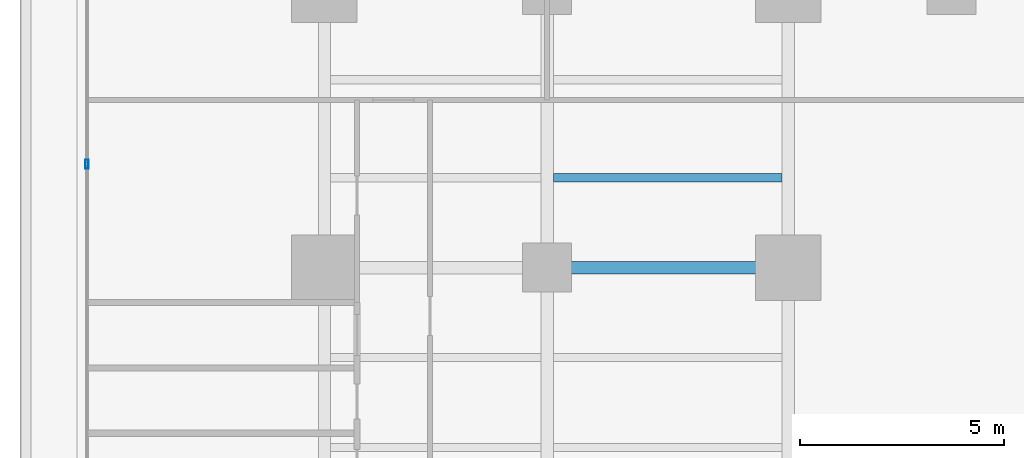
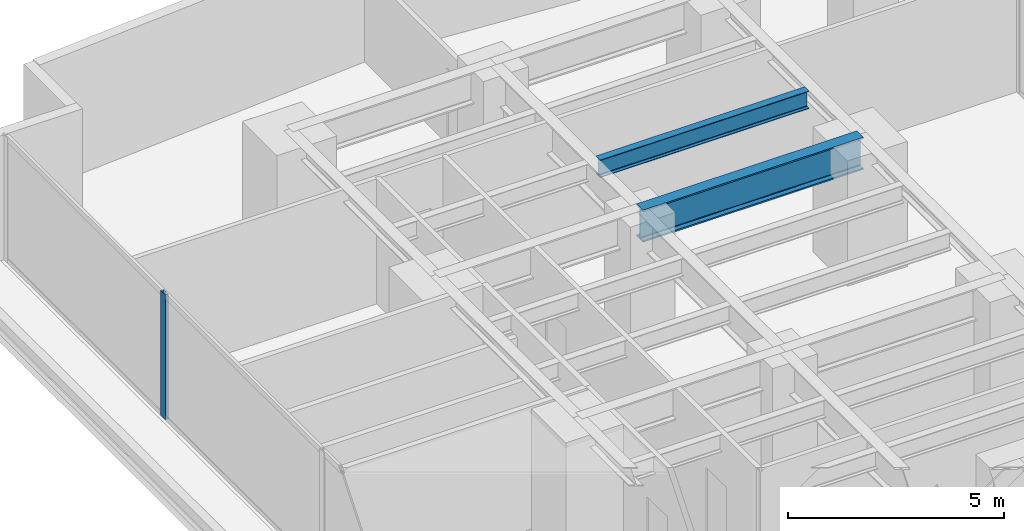
# One storey, part 16 of 29: 2 beams, 1 member, 1 element without a shape of its own.
"""IFC4 building model written with IfcOpenShell, lengths in metres."""

from ifc_helpers import new_model, si_unit, direction, frame, origin, origin_with_axes, origin_2d, place, context, subcontext, project, spatial, hollow_rectangle, i_section, extrude, source, transform, mapped, material, layer, layer_set, material_profile, profile_set, type_object, element, aggregate, save


model = new_model("IFC4")

# Units and contexts
model_context = context("Model", 3, precision=1e-05, world=origin(), true_north=direction((0.0, 1.0)))
body_context = subcontext(model_context, "Body", "Model", "MODEL_VIEW")
ifc_project = project(units=[si_unit("LENGTHUNIT", "METRE"), si_unit("AREAUNIT", "SQUARE_METRE"), si_unit("VOLUMEUNIT", "CUBIC_METRE"), si_unit("PLANEANGLEUNIT", "RADIAN"), si_unit("MASSUNIT", "GRAM", prefix="KILO")], contexts=[model_context])

# Site, building, storey
site_placement = place(None, origin())
site = spatial("IfcSite", under=ifc_project, at=site_placement, CompositionType="ELEMENT")
building_placement = place(site_placement, origin())
building = spatial("IfcBuilding", under=site, at=building_placement, Name="Kolvaren Waterfront Exchange", CompositionType="ELEMENT")
storey_placement = place(building_placement, frame((0.0, 0.0, 29.60009765625)))
storey = spatial("IfcBuildingStorey", under=building, at=storey_placement, Name="L07", CompositionType="ELEMENT", Elevation=29.60009765625)

# Beams
ifc_material_1 = material(Name="Steel S355", Category="steel")
ifc_material_profile_1 = material_profile(ifc_material_1, i_section(OverallWidth=0.199951171875, OverallDepth=0.5, WebThickness=0.01025390625, FlangeThickness=0.01611328125, FilletRadius=0.02099609375, at=origin_2d()), Name="IPE500")
ifc_profile_set_1 = profile_set([ifc_material_profile_1], Name="Steel S355")
beam_type_1 = type_object("IfcBeamType", Name="STR-BM-IPE500", PredefinedType="JOIST", material=ifc_profile_set_1)
beam_1_placement = place(storey_placement, frame((13.052978515625, 40.0, 3.289794921875), z_axis=(1.0, 0.0, 0.0), x_axis=(0.0, 1.0, 0.0)))
element("IfcBeam", 1, at=beam_1_placement, inside=storey, type_object=beam_type_1, Name="L07 north-arm composite joist 5B", PredefinedType="JOIST", context=body_context, shape_type="SweptSolid", body=[
    extrude(i_section(OverallWidth=0.199951171875, OverallDepth=0.5, WebThickness=0.01025390625, FlangeThickness=0.01611328125, FilletRadius=0.02099609375, at=origin_2d()), origin(), (0.0, 0.0, 1.0), 5.594970703125),
])
ifc_material_2 = material(Name="Steel S460", Category="steel")
ifc_material_profile_2 = material_profile(ifc_material_2, i_section(OverallWidth=0.302001953125, OverallDepth=0.909912109375, WebThickness=0.02099609375, FlangeThickness=0.0400390625, FilletRadius=0.030029296875, at=origin_2d()), Name="HEM900")
ifc_profile_set_2 = profile_set([ifc_material_profile_2], Name="Steel S460")
beam_type_2 = type_object("IfcBeamType", Name="STR-TRG-HEM900", PredefinedType="BEAM", material=ifc_profile_set_2)
beam_2_placement = place(storey_placement, frame((12.89990234375, 37.800048828125, 3.0849609375), z_axis=(1.0, 0.0, 0.0), x_axis=(0.0, 1.0, 0.0)))
element("IfcBeam", 2, at=beam_2_placement, inside=storey, type_object=beam_type_2, Name="L07 north-arm girder 3B", PredefinedType="BEAM", context=body_context, shape_type="SweptSolid", body=[
    extrude(i_section(OverallWidth=0.302001953125, OverallDepth=0.909912109375, WebThickness=0.02099609375, FlangeThickness=0.0400390625, FilletRadius=0.030029296875, at=origin_2d()), origin(), (0.0, 0.0, 1.0), 5.900146484375),
])

# Curtain wall, member
ifc_material_3 = material(Name="Anodised aluminium 6063-T6", Category="aluminium")
ifc_layer = layer(ifc_material_3, 0.219970703125, Name="Anodised aluminium 6063-T6")
ifc_layer_set = layer_set([ifc_layer], Name="Anodised aluminium 6063-T6")
curtain_wall_type = type_object("IfcCurtainWallType", Name="ARC-CW-SYS2", PredefinedType="USERDEFINED", material=ifc_layer_set)
curtain_wall_placement = place(storey_placement, origin())
curtain_wall = element("IfcCurtainWall", 3, at=curtain_wall_placement, inside=storey, type_object=curtain_wall_type, Name="L07 stick curtain wall CW2 (CW-L07-W)", ObjectType="STICK CURTAIN WALL", PredefinedType="USERDEFINED")
ifc_material_profile_3 = material_profile(ifc_material_3, hollow_rectangle(XDim=0.080078125, YDim=0.219970703125, WallThickness=0.0048828125, at=origin_2d()), Name="ALU-MUL-220x80x5")
ifc_profile_set_3 = profile_set([ifc_material_profile_3], Name="Anodised aluminium 6063-T6")
member_type = type_object("IfcMemberType", Name="ARC-CWM-220", PredefinedType="MULLION", material=ifc_profile_set_3)
shared_shape = source(origin_with_axes(), body_context, "Body", "SweptSolid", [
    extrude(hollow_rectangle(XDim=0.080078125, YDim=0.219970703125, WallThickness=0.0048828125, at=origin_2d()), origin(), (0.0, 0.0, 1.0), 3.539794921875),
])
member_placement = place(storey_placement, frame((1.639892578125, 40.333251953125, 0.0), z_axis=(0.0, 0.0, 1.0), x_axis=(-1.0, 0.0, 0.0)))
member = element("IfcMember", 4, at=member_placement, type_object=member_type, Name="CW2 mullion 6", PredefinedType="MULLION", context=body_context, shape_type="MappedRepresentation", body=[
    mapped(shared_shape, transform((0.0, 0.0, 0.0), x_axis=(1.0, 0.0, 0.0), y_axis=(0.0, 1.0, 0.0), z_axis=(0.0, 0.0, 1.0), scale=1.0)),
])
aggregate(curtain_wall, [member])

save(model, "model.ifc")
